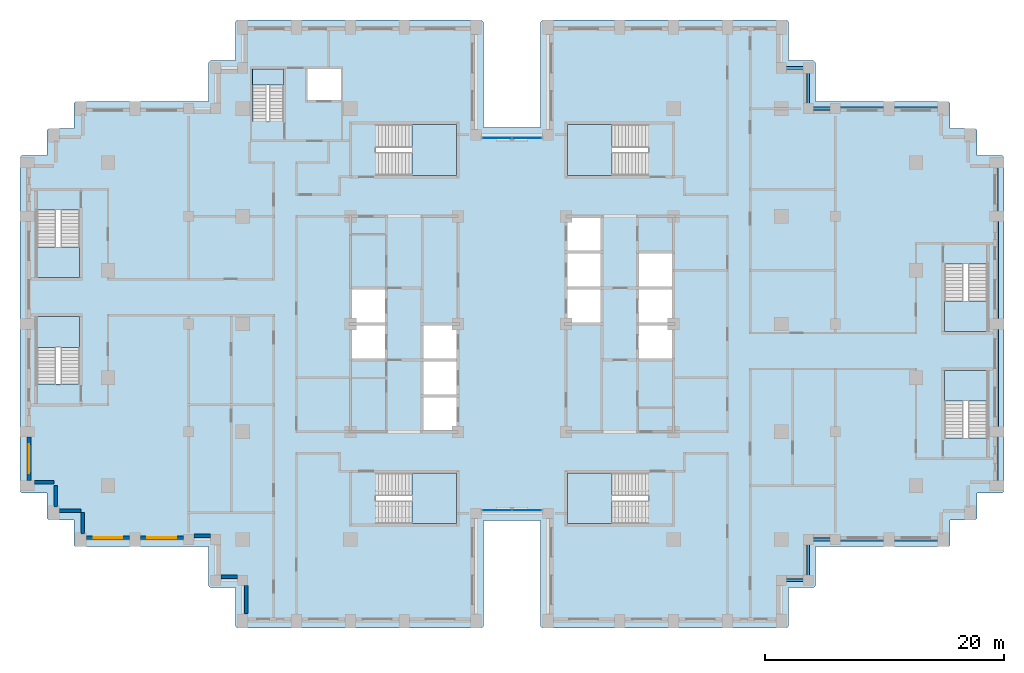
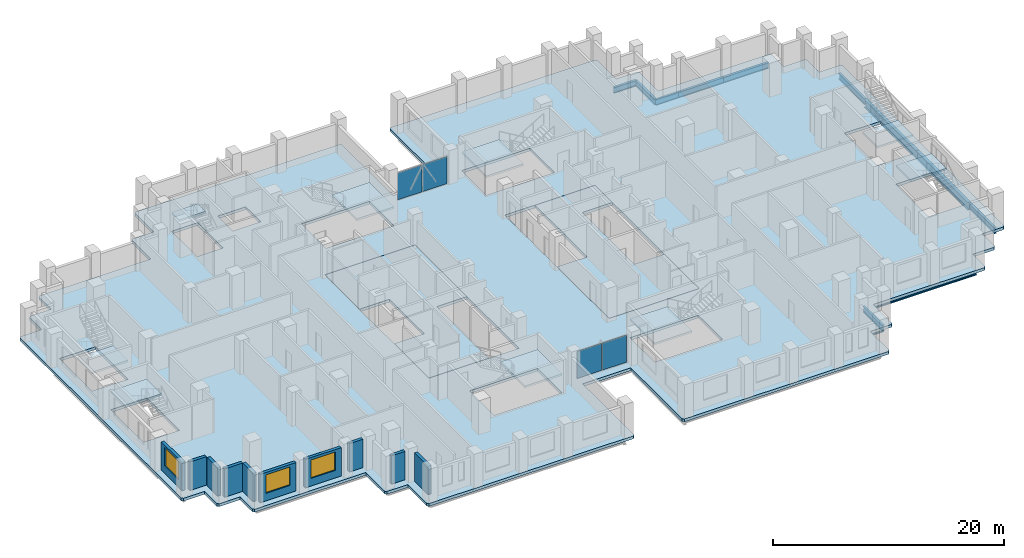
# One storey, part 5 of 16: 14 beams, 12 slabs, 10 walls, 4 plates, 3 windows, 3 openings, 11 elements without a shape of their own.
"""IFC4 building model written with IfcOpenShell, lengths in metres."""

import ifcopenshell
import ifcopenshell.guid

model = None  # the IFC model being written
_history = None  # IfcOwnerHistory: only IFC2X3 demands one
_inside = {}  # id of a spatial element -> (the spatial element, [elements in it])
_under = {}  # id of a project, library or spatial element -> (it, [spatial elements below it])
_declared = {}  # id of a project -> (the project, [libraries it declares])
_typed = {}  # id of a type object -> (the type object, [elements of that type])
_made_of = {}  # id of a material, layer set ... -> (it, [elements and type objects made of it])


def new_model(schema):
    """Start an empty IFC model of exactly this schema.

    Asked for "IFC4X3", IfcOpenShell would pick the latest addendum, in which some entities
    have other attributes; the version numbers below select the first issue.
    IFC2X3 requires an IfcOwnerHistory on every rooted entity: one is made here for all.
    """
    global model, _history
    if schema == "IFC4X3":
        model = ifcopenshell.file(schema_version=(4, 3, 0, 0))
    else:
        model = ifcopenshell.file(schema=schema)
    _inside.clear()
    _under.clear()
    _declared.clear()
    _typed.clear()
    _made_of.clear()
    _history = None
    if model.schema == "IFC2X3":
        org = make("IfcOrganization", Name="unknown")
        user = make(
            "IfcPersonAndOrganization",
            ThePerson=make("IfcPerson", FamilyName="unknown"),
            TheOrganization=org,
        )
        app = make(
            "IfcApplication",
            ApplicationDeveloper=org,
            Version="unknown",
            ApplicationFullName="unknown",
            ApplicationIdentifier="unknown",
        )
        _history = make(
            "IfcOwnerHistory",
            OwningUser=user,
            OwningApplication=app,
            ChangeAction="ADDED",
            CreationDate=0,
        )
    return model


def make(cls, **values):
    """One entity of the class cls with the attributes given. An attribute that is None is left unset."""
    return model.create_entity(
        cls, **{name: value for name, value in values.items() if value is not None}
    )


def rooted(cls, **values):
    """An entity with a GlobalId (a new one), such as an element, a storey or a relation."""
    return make(cls, GlobalId=ifcopenshell.guid.new(), OwnerHistory=_history, **values)


def si_unit(unit_type, name, prefix=None):
    """IfcSIUnit, for example si_unit("LENGTHUNIT", "METRE", prefix="MILLI")."""
    return make("IfcSIUnit", UnitType=unit_type, Prefix=prefix, Name=name)


def assignment(units):
    """IfcUnitAssignment: the units of a project."""
    return None if units is None else make("IfcUnitAssignment", Units=units)


def point(xyz):
    """IfcCartesianPoint."""
    return None if xyz is None else make("IfcCartesianPoint", Coordinates=xyz)


def direction(xyz):
    """IfcDirection."""
    return None if xyz is None else make("IfcDirection", DirectionRatios=xyz)


def frame(location, z_axis=None, x_axis=None):
    """IfcAxis2Placement3D, a coordinate frame: its origin and axes. An axis left out is left unset."""
    return make(
        "IfcAxis2Placement3D",
        Location=point(location),
        Axis=direction(z_axis),
        RefDirection=direction(x_axis),
    )


def frame_2d(location, x_axis=None):
    """IfcAxis2Placement2D, a coordinate frame in the plane: its origin and x axis."""
    return make(
        "IfcAxis2Placement2D", Location=point(location), RefDirection=direction(x_axis)
    )


def origin():
    """The frame at (0, 0, 0) with its axes left unset."""
    return frame((0.0, 0.0, 0.0))


def origin_2d():
    """The frame at (0, 0) in the plane with its x axis left unset."""
    return frame_2d((0.0, 0.0))


def place(relative_to, where):
    """IfcLocalPlacement: puts the frame where relative to a parent placement (None: the world)."""
    return make(
        "IfcLocalPlacement", PlacementRelTo=relative_to, RelativePlacement=where
    )


def context(
    kind, dimensions, precision=None, world=None, true_north=None, identifier=None
):
    """IfcGeometricRepresentationContext, for example the 3D "Model" context."""
    return make(
        "IfcGeometricRepresentationContext",
        ContextIdentifier=identifier,
        ContextType=kind,
        CoordinateSpaceDimension=dimensions,
        Precision=precision,
        WorldCoordinateSystem=world,
        TrueNorth=true_north,
    )


def subcontext(parent, identifier, kind, view, scale=None):
    """IfcGeometricRepresentationSubContext, for example "Body" below "Model"."""
    return make(
        "IfcGeometricRepresentationSubContext",
        ContextIdentifier=identifier,
        ContextType=kind,
        ParentContext=parent,
        TargetScale=scale,
        TargetView=view,
    )


def project(units=None, contexts=None):
    """IfcProject with its units and contexts."""
    return rooted(
        "IfcProject",
        Name="project",
        RepresentationContexts=contexts,
        UnitsInContext=assignment(units),
    )


def spatial(cls, under=None, at=None, **own):
    """A site, building, storey or space (cls), placed at a placement, below another one or the project."""
    s = rooted(cls, ObjectPlacement=at, **own)
    if under is not None:
        _under.setdefault(under.id(), (under, []))[1].append(s)
    return s


def polyline(points):
    """IfcPolyline through the points."""
    return make("IfcPolyline", Points=[point(p) for p in points])


def profile(cls, at=None, kind="AREA", **sizes):
    """A parametric profile (cls). Its sizes go by their IFC names, for example OverallWidth=200.0."""
    return make(cls, ProfileType=kind, Position=at, **sizes)


def rectangle(**sizes):
    """IfcRectangleProfileDef."""
    return profile("IfcRectangleProfileDef", **sizes)


def i_section(**sizes):
    """IfcIShapeProfileDef."""
    return profile("IfcIShapeProfileDef", **sizes)


def outline(outer, holes=None, kind="AREA"):
    """IfcArbitraryClosedProfileDef: a profile drawn as a closed curve; with holes, ...WithVoids."""
    if holes is None:
        return make("IfcArbitraryClosedProfileDef", ProfileType=kind, OuterCurve=outer)
    return make(
        "IfcArbitraryProfileDefWithVoids",
        ProfileType=kind,
        OuterCurve=outer,
        InnerCurves=holes,
    )


def extrude(swept, where, along, depth):
    """IfcExtrudedAreaSolid: the profile swept, set in the frame where, extruded along a direction by depth."""
    return make(
        "IfcExtrudedAreaSolid",
        SweptArea=swept,
        Position=where,
        ExtrudedDirection=direction(along),
        Depth=depth,
    )


def shape(context_of_items, identifier, shape_type, items):
    """IfcShapeRepresentation: the items that make up one representation, for example the "Body"."""
    return make(
        "IfcShapeRepresentation",
        ContextOfItems=context_of_items,
        RepresentationIdentifier=identifier,
        RepresentationType=shape_type,
        Items=items,
    )


def material(Name=None, Category=None):
    """IfcMaterial."""
    return make("IfcMaterial", Name=Name, Category=Category)


def layer(
    of_material, thickness, ventilated=None, Name=None, Category=None, Priority=None
):
    """IfcMaterialLayer: one layer of a wall or slab, of a material (None: an air gap)."""
    return make(
        "IfcMaterialLayer",
        Material=of_material,
        LayerThickness=thickness,
        IsVentilated=ventilated,
        Name=Name,
        Category=Category,
        Priority=Priority,
    )


def layer_set(layers, Name=None):
    """IfcMaterialLayerSet."""
    return make("IfcMaterialLayerSet", MaterialLayers=layers, LayerSetName=Name)


def material_profile(
    of_material, cross_section, Name=None, Category=None, Priority=None
):
    """IfcMaterialProfile: a cross section and its material."""
    return make(
        "IfcMaterialProfile",
        Name=Name,
        Material=of_material,
        Profile=cross_section,
        Priority=Priority,
        Category=Category,
    )


def profile_set(profiles, Name=None, composite=None):
    """IfcMaterialProfileSet."""
    return make(
        "IfcMaterialProfileSet",
        Name=Name,
        MaterialProfiles=profiles,
        CompositeProfile=composite,
    )


def made_of(thing, what):
    """Note that an element or type object is made of a material, layer set ...; save() writes the relation."""
    if what is not None:
        _made_of.setdefault(what.id(), (what, []))[1].append(thing)
    return thing


def type_object(cls, material=None, **own):
    """A type object (cls), such as IfcWallType, which elements share."""
    return made_of(rooted(cls, **own), material)


def element(
    cls,
    number,
    at=None,
    inside=None,
    cuts=None,
    type_object=None,
    material=None,
    context=None,
    identifier="Body",
    shape_type=None,
    held_by="IfcProductDefinitionShape",
    body=None,
    shapes=None,
    **own,
):
    """One element of the class cls, such as IfcWall. Its Tag is "e" and its number.

    at: its placement. inside: the storey or other place that contains it. cuts: it is an
    opening in that element (IfcRelVoidsElement). A single representation is given by context,
    identifier, shape_type and body (its items); several are given by shapes. held_by: the class
    of the entity that holds the representations. save() writes the other relations.
    """
    e = rooted(cls, Tag="e%d" % number, ObjectPlacement=at, **own)
    if body is not None:
        shapes = [shape(context, identifier, shape_type, body)]
    if shapes is not None:
        e.Representation = make(held_by, Representations=shapes)
    if inside is not None:
        _inside.setdefault(inside.id(), (inside, []))[1].append(e)
    if cuts is not None:
        rooted(
            "IfcRelVoidsElement", RelatingBuildingElement=cuts, RelatedOpeningElement=e
        )
    if type_object is not None:
        _typed.setdefault(type_object.id(), (type_object, []))[1].append(e)
    return made_of(e, material)


def fill(opening, filler):
    """IfcRelFillsElement: the door or window that sits in an opening."""
    return rooted(
        "IfcRelFillsElement",
        RelatingOpeningElement=opening,
        RelatedBuildingElement=filler,
    )


def aggregate(whole, parts):
    """IfcRelAggregates: a whole, such as a stair, and the parts it consists of."""
    return rooted("IfcRelAggregates", RelatingObject=whole, RelatedObjects=parts)


def save(model, path):
    """Write the relations noted so far, then the file.

    IfcRelAggregates (storeys below a building ...), IfcRelContainedInSpatialStructure (elements
    in a storey), IfcRelDefinesByType, IfcRelAssociatesMaterial and IfcRelDeclares: one each for
    every whole, place, type object, material and project.
    """
    for whole, parts in _under.values():
        aggregate(whole, parts)
    for where, things in _inside.values():
        rooted(
            "IfcRelContainedInSpatialStructure",
            RelatedElements=things,
            RelatingStructure=where,
        )
    for kind, things in _typed.values():
        rooted("IfcRelDefinesByType", RelatedObjects=things, RelatingType=kind)
    for what, things in _made_of.values():
        rooted("IfcRelAssociatesMaterial", RelatedObjects=things, RelatingMaterial=what)
    for by, libraries in _declared.values():
        rooted("IfcRelDeclares", RelatingContext=by, RelatedDefinitions=libraries)
    model.write(path)


model = new_model("IFC4")

# Units and contexts
model_context = context("Model", 3, precision=1e-05, world=origin(), true_north=direction((0.0, 1.0)))
body_context = subcontext(model_context, "Body", "Model", "MODEL_VIEW")
ifc_project = project(units=[si_unit("LENGTHUNIT", "METRE"), si_unit("AREAUNIT", "SQUARE_METRE"), si_unit("VOLUMEUNIT", "CUBIC_METRE"), si_unit("PLANEANGLEUNIT", "RADIAN"), si_unit("MASSUNIT", "GRAM", prefix="KILO")], contexts=[model_context])

# Site, building, storey
site_placement = place(None, origin())
site = spatial("IfcSite", under=ifc_project, at=site_placement, CompositionType="ELEMENT")
building_placement = place(site_placement, origin())
building = spatial("IfcBuilding", under=site, at=building_placement, Name="Corbelhall Arena Tower", CompositionType="ELEMENT")
storey_placement = place(building_placement, frame((0.0, 0.0, 116.0)))
storey = spatial("IfcBuildingStorey", under=building, at=storey_placement, Name="L21", CompositionType="ELEMENT", Elevation=116.0)

# Beams
ifc_material_1 = material(Name="Steel ASTM A992 Gr50", Category="steel")
ifc_material_profile_1 = material_profile(ifc_material_1, i_section(OverallWidth=0.23046875, OverallDepth=0.6171875, WebThickness=0.01318359375, FlangeThickness=0.022216796875, at=origin_2d()))
ifc_profile_set_1 = profile_set([ifc_material_profile_1], Name="Steel ASTM A992 Gr50")
beam_type_1 = type_object("IfcBeamType", Name="ST-SPANDREL-W24x94", PredefinedType="SPANDREL", material=ifc_profile_set_1)
for number, where, z_axis, x_axis, name in (
    (1, (40.5, 13.5, -0.608642578125), (0.0, -1.0, 0.0), (1.0, 0.0, 0.0), "Beam SP 10"),
    (2, (40.5, -9.0, -0.608642578125), (0.0, -1.0, 0.0), (1.0, 0.0, 0.0), "Beam SP 11"),
    (3, (31.5, 18.0, -0.608642578125), (1.0, 0.0, 0.0), (0.0, 1.0, 0.0), "Beam SP 12"),
    (4, (31.5, -18.0, -0.608642578125), (-1.0, 0.0, 0.0), (0.0, -1.0, 0.0), "Beam SP 13"),
    (5, (36.0, -18.0, -0.608642578125), (-1.0, 0.0, 0.0), (0.0, -1.0, 0.0), "Beam SP 14"),
    (6, (27.0, 18.0, -0.608642578125), (1.0, 0.0, 0.0), (0.0, 1.0, 0.0), "Beam SP 15"),
):
    element("IfcBeam", number, at=place(storey_placement, frame(where, z_axis=z_axis, x_axis=x_axis)), inside=storey, type_object=beam_type_1, Name=name, PredefinedType="SPANDREL", context=body_context, shape_type="SweptSolid", body=[
        extrude(i_section(OverallWidth=0.23046875, OverallDepth=0.6171875, WebThickness=0.01318359375, FlangeThickness=0.022216796875, at=origin_2d()), origin(), (0.0, 0.0, 1.0), 4.5),
    ])
for number, where, z_axis, x_axis, name in (
    (7, (27.0, -18.0, -0.608642578125), (-1.0, 0.0, 0.0), (0.0, -1.0, 0.0), "Beam SP 16"),
    (8, (22.5, 21.39990234375, -0.608642578125), (1.0, 0.0, 0.0), (0.0, 1.0, 0.0), "Beam SP 43"),
):
    element("IfcBeam", number, at=place(storey_placement, frame(where, z_axis=z_axis, x_axis=x_axis)), inside=storey, type_object=beam_type_1, Name=name, PredefinedType="SPANDREL", context=body_context, shape_type="SweptSolid", body=[
        extrude(i_section(OverallWidth=0.23046875, OverallDepth=0.6171875, WebThickness=0.01318359375, FlangeThickness=0.022216796875, at=origin_2d()), origin(), (0.0, 0.0, 1.0), 2.25),
    ])
beam_1_placement = place(storey_placement, frame((24.75, 21.39990234375, -0.608642578125), z_axis=(0.0, -1.0, 0.0), x_axis=(1.0, 0.0, 0.0)))
element("IfcBeam", 9, at=beam_1_placement, inside=storey, type_object=beam_type_1, Name="Beam SP 44", PredefinedType="SPANDREL", context=body_context, shape_type="SweptSolid", body=[
    extrude(i_section(OverallWidth=0.23046875, OverallDepth=0.6171875, WebThickness=0.01318359375, FlangeThickness=0.022216796875, at=origin_2d()), origin(), (0.0, 0.0, 1.0), 3.39990234375),
])
for number, where, z_axis, x_axis, name in (
    (10, (24.75, 18.0, -0.608642578125), (1.0, 0.0, 0.0), (0.0, 1.0, 0.0), "Beam SP 45"),
    (11, (24.75, -21.39990234375, -0.608642578125), (-1.0, 0.0, 0.0), (0.0, -1.0, 0.0), "Beam SP 50"),
):
    element("IfcBeam", number, at=place(storey_placement, frame(where, z_axis=z_axis, x_axis=x_axis)), inside=storey, type_object=beam_type_1, Name=name, PredefinedType="SPANDREL", context=body_context, shape_type="SweptSolid", body=[
        extrude(i_section(OverallWidth=0.23046875, OverallDepth=0.6171875, WebThickness=0.01318359375, FlangeThickness=0.022216796875, at=origin_2d()), origin(), (0.0, 0.0, 1.0), 2.25),
    ])
beam_2_placement = place(storey_placement, frame((24.75, -18.0, -0.608642578125), z_axis=(0.0, -1.0, 0.0), x_axis=(1.0, 0.0, 0.0)))
element("IfcBeam", 12, at=beam_2_placement, inside=storey, type_object=beam_type_1, Name="Beam SP 51", PredefinedType="SPANDREL", context=body_context, shape_type="SweptSolid", body=[
    extrude(i_section(OverallWidth=0.23046875, OverallDepth=0.6171875, WebThickness=0.01318359375, FlangeThickness=0.022216796875, at=origin_2d()), origin(), (0.0, 0.0, 1.0), 3.39990234375),
])
ifc_material_profile_2 = material_profile(ifc_material_1, i_section(OverallWidth=0.2919921875, OverallDepth=0.845703125, WebThickness=0.015380859375, FlangeThickness=0.0244140625, at=origin_2d()))
ifc_profile_set_2 = profile_set([ifc_material_profile_2], Name="Steel ASTM A992 Gr50")
beam_type_2 = type_object("IfcBeamType", Name="ST-SPANDREL-W33x141", PredefinedType="SPANDREL", material=ifc_profile_set_2)
for number, where, z_axis, x_axis, name in (
    (13, (40.5, 0.0, -0.722900390625), (0.0, -1.0, 0.0), (1.0, 0.0, 0.0), "Beam SP 8"),
    (14, (40.5, 9.0, -0.722900390625), (0.0, -1.0, 0.0), (1.0, 0.0, 0.0), "Beam SP 9"),
):
    element("IfcBeam", number, at=place(storey_placement, frame(where, z_axis=z_axis, x_axis=x_axis)), inside=storey, type_object=beam_type_2, Name=name, PredefinedType="SPANDREL", context=body_context, shape_type="SweptSolid", body=[
        extrude(i_section(OverallWidth=0.2919921875, OverallDepth=0.845703125, WebThickness=0.015380859375, FlangeThickness=0.0244140625, at=origin_2d()), origin(), (0.0, 0.0, 1.0), 9.0),
    ])

# Curtain wall, plates
ifc_material_2 = material(Name="Aluminium black anodised", Category="aluminium")
ifc_layer_1 = layer(ifc_material_2, 0.199951171875)
ifc_layer_set_1 = layer_set([ifc_layer_1], Name="EV-CW1 Slot back wall")
curtain_wall_type = type_object("IfcCurtainWallType", Name="EV-CW1 Slot back wall", PredefinedType="NOTDEFINED", material=ifc_layer_set_1)
curtain_wall_1_placement = place(storey_placement, origin())
curtain_wall_1 = element("IfcCurtainWall", 15, at=curtain_wall_1_placement, inside=storey, type_object=curtain_wall_type, Name="Curtain wall CW1", PredefinedType="NOTDEFINED")
ifc_material_3 = material(Name="Glass dark tinted laminated", Category="glass")
ifc_layer_2 = layer(ifc_material_3, 0.028076171875)
ifc_layer_set_2 = layer_set([ifc_layer_2], Name="EV-CW1-PANEL")
plate_type = type_object("IfcPlateType", Name="EV-CW1-PANEL", PredefinedType="CURTAIN_PANEL", material=ifc_layer_set_2)
plate_1_placement = place(storey_placement, frame((-1.25634765625, -15.550048828125, 0.074951171875), z_axis=(0.0, 0.0, 1.0), x_axis=(1.0, 0.0, 0.0)))
plate_1 = element("IfcPlate", 16, at=plate_1_placement, type_object=plate_type, Name="CW1 panel 1.1", PredefinedType="CURTAIN_PANEL", context=body_context, shape_type="SweptSolid", body=[
    extrude(rectangle(XDim=2.4375, YDim=0.028076171875, at=origin_2d()), origin(), (0.0, 0.0, 1.0), 2.849609375),
])
plate_2_placement = place(storey_placement, frame((1.25634765625, -15.550048828125, 0.074951171875), z_axis=(0.0, 0.0, 1.0), x_axis=(1.0, 0.0, 0.0)))
plate_2 = element("IfcPlate", 17, at=plate_2_placement, type_object=plate_type, Name="CW1 panel 2.1", PredefinedType="CURTAIN_PANEL", context=body_context, shape_type="SweptSolid", body=[
    extrude(rectangle(XDim=2.4375, YDim=0.028076171875, at=origin_2d()), origin(), (0.0, 0.0, 1.0), 2.849609375),
])
aggregate(curtain_wall_1, [plate_1, plate_2])

curtain_wall_2_placement = place(storey_placement, origin())
curtain_wall_2 = element("IfcCurtainWall", 18, at=curtain_wall_2_placement, inside=storey, type_object=curtain_wall_type, Name="Curtain wall CW1", PredefinedType="NOTDEFINED")
plate_3_placement = place(storey_placement, frame((1.25634765625, 15.550048828125, 0.074951171875), z_axis=(0.0, 0.0, 1.0), x_axis=(-1.0, 0.0, 0.0)))
plate_3 = element("IfcPlate", 19, at=plate_3_placement, type_object=plate_type, Name="CW1 panel 1.1", PredefinedType="CURTAIN_PANEL", context=body_context, shape_type="SweptSolid", body=[
    extrude(rectangle(XDim=2.4375, YDim=0.028076171875, at=origin_2d()), origin(), (0.0, 0.0, 1.0), 2.849609375),
])
plate_4_placement = place(storey_placement, frame((-1.25634765625, 15.550048828125, 0.074951171875), z_axis=(0.0, 0.0, 1.0), x_axis=(-1.0, 0.0, 0.0)))
plate_4 = element("IfcPlate", 20, at=plate_4_placement, type_object=plate_type, Name="CW1 panel 2.1", PredefinedType="CURTAIN_PANEL", context=body_context, shape_type="SweptSolid", body=[
    extrude(rectangle(XDim=2.4375, YDim=0.028076171875, at=origin_2d()), origin(), (0.0, 0.0, 1.0), 2.849609375),
])
aggregate(curtain_wall_2, [plate_3, plate_4])

# Slabs
ifc_material_4 = material(Name="Concrete C40/50", Category="concrete")
ifc_layer_3 = layer(ifc_material_4, 0.300048828125)
ifc_layer_set_3 = layer_set([ifc_layer_3], Name="IN-SL-CORE")
slab_type_1 = type_object("IfcSlabType", Name="IN-SL-CORE", PredefinedType="FLOOR", material=ifc_layer_set_3)
slab_1_placement = place(storey_placement, frame((0.0, 0.0, -0.300048828125)))
element("IfcSlab", 21, at=slab_1_placement, inside=storey, type_object=slab_type_1, Name="Core floor W", PredefinedType="FLOOR", context=body_context, shape_type="SweptSolid", body=[
    extrude(outline(polyline([(-7.5, 0.0), (-4.5, 0.0), (-4.5, 9.0), (-13.5, 9.0), (-13.5, 3.0), (-10.5, 3.0), (-10.5, 0.0), (-10.5, -3.0), (-13.5, -3.0), (-13.5, -9.0), (-7.5, -9.0), (-7.5, -6.0), (-7.5, -3.0), (-7.5, 0.0)])), origin(), (0.0, 0.0, 1.0), 0.300048828125),
])
slab_2_placement = place(storey_placement, frame((0.0, 0.0, -0.300048828125)))
element("IfcSlab", 22, at=slab_2_placement, inside=storey, type_object=slab_type_1, Name="Core floor E", PredefinedType="FLOOR", context=body_context, shape_type="SweptSolid", body=[
    extrude(outline(polyline([(7.5, 0.0), (4.5, 0.0), (4.5, -9.0), (13.5, -9.0), (13.5, -3.0), (10.5, -3.0), (10.5, 0.0), (10.5, 3.0), (10.5, 6.0), (13.5, 6.0), (13.5, 9.0), (7.5, 9.0), (7.5, 6.0), (7.5, 3.0), (7.5, 0.0)])), origin(), (0.0, 0.0, 1.0), 0.300048828125),
])

# Stair, slab
stair_type = type_object("IfcStairType", Name="IN-ST-TOWER", PredefinedType="HALF_TURN_STAIR", material=ifc_material_4)
stair_1_placement = place(storey_placement, origin())
stair_1 = element("IfcStair", 23, at=stair_1_placement, inside=storey, type_object=stair_type, Name="L21 Exit stair ST1", PredefinedType="HALF_TURN_STAIR")
ifc_layer_4 = layer(ifc_material_4, 0.199951171875)
ifc_layer_set_4 = layer_set([ifc_layer_4], Name="IN-SL-LANDING")
slab_type_2 = type_object("IfcSlabType", Name="IN-SL-LANDING", PredefinedType="LANDING", material=ifc_layer_set_4)
slab_3_placement = place(storey_placement, frame((0.0, 0.0, 1.800048828125)))
slab_3 = element("IfcSlab", 24, at=slab_3_placement, type_object=slab_type_2, Name="ST1 landing 1", PredefinedType="LANDING", context=body_context, shape_type="SweptSolid", body=[
    extrude(outline(polyline([(-8.344970703125, 12.425048828125), (-4.625, 12.425048828125), (-4.625, 16.675048828125), (-8.344970703125, 16.675048828125), (-8.344970703125, 12.425048828125)])), origin(), (0.0, 0.0, 1.0), 0.199951171875),
])
aggregate(stair_1, [slab_3])

stair_2_placement = place(storey_placement, origin())
stair_2 = element("IfcStair", 25, at=stair_2_placement, inside=storey, type_object=stair_type, Name="L21 Exit stair ST2", PredefinedType="HALF_TURN_STAIR")
slab_4_placement = place(storey_placement, frame((0.0, 0.0, 1.800048828125)))
slab_4 = element("IfcSlab", 26, at=slab_4_placement, type_object=slab_type_2, Name="ST2 landing 1", PredefinedType="LANDING", context=body_context, shape_type="SweptSolid", body=[
    extrude(outline(polyline([(-8.344970703125, -16.675048828125), (-4.625, -16.675048828125), (-4.625, -12.425048828125), (-8.344970703125, -12.425048828125), (-8.344970703125, -16.675048828125)])), origin(), (0.0, 0.0, 1.0), 0.199951171875),
])
aggregate(stair_2, [slab_4])

stair_3_placement = place(storey_placement, origin())
stair_3 = element("IfcStair", 27, at=stair_3_placement, inside=storey, type_object=stair_type, Name="L21 Exit stair ST3", PredefinedType="HALF_TURN_STAIR")
slab_5_placement = place(storey_placement, frame((0.0, 0.0, 1.800048828125)))
slab_5 = element("IfcSlab", 28, at=slab_5_placement, type_object=slab_type_2, Name="ST3 landing 1", PredefinedType="LANDING", context=body_context, shape_type="SweptSolid", body=[
    extrude(outline(polyline([(8.344970703125, 16.675048828125), (4.625, 16.675048828125), (4.625, 12.425048828125), (8.344970703125, 12.425048828125), (8.344970703125, 16.675048828125)])), origin(), (0.0, 0.0, 1.0), 0.199951171875),
])
aggregate(stair_3, [slab_5])

stair_4_placement = place(storey_placement, origin())
stair_4 = element("IfcStair", 29, at=stair_4_placement, inside=storey, type_object=stair_type, Name="L21 Exit stair ST4", PredefinedType="HALF_TURN_STAIR")
slab_6_placement = place(storey_placement, frame((0.0, 0.0, 1.800048828125)))
slab_6 = element("IfcSlab", 30, at=slab_6_placement, type_object=slab_type_2, Name="ST4 landing 1", PredefinedType="LANDING", context=body_context, shape_type="SweptSolid", body=[
    extrude(outline(polyline([(8.344970703125, -12.425048828125), (4.625, -12.425048828125), (4.625, -16.675048828125), (8.344970703125, -16.675048828125), (8.344970703125, -12.425048828125)])), origin(), (0.0, 0.0, 1.0), 0.199951171875),
])
aggregate(stair_4, [slab_6])

stair_5_placement = place(storey_placement, origin())
stair_5 = element("IfcStair", 31, at=stair_5_placement, inside=storey, type_object=stair_type, Name="L21 Exit stair SC1", PredefinedType="HALF_TURN_STAIR")
slab_7_placement = place(storey_placement, frame((0.0, 0.0, 1.800048828125)))
slab_7 = element("IfcSlab", 32, at=slab_7_placement, type_object=slab_type_2, Name="SC1 landing 1", PredefinedType="LANDING", context=body_context, shape_type="SweptSolid", body=[
    extrude(outline(polyline([(-39.699951171875, 6.445068359375), (-39.699951171875, 3.875), (-36.125, 3.875), (-36.125, 6.445068359375), (-39.699951171875, 6.445068359375)])), origin(), (0.0, 0.0, 1.0), 0.199951171875),
])
aggregate(stair_5, [slab_7])

stair_6_placement = place(storey_placement, origin())
stair_6 = element("IfcStair", 33, at=stair_6_placement, inside=storey, type_object=stair_type, Name="L21 Exit stair SC2", PredefinedType="HALF_TURN_STAIR")
slab_8_placement = place(storey_placement, frame((0.0, 0.0, 1.800048828125)))
slab_8 = element("IfcSlab", 34, at=slab_8_placement, type_object=slab_type_2, Name="SC2 landing 1", PredefinedType="LANDING", context=body_context, shape_type="SweptSolid", body=[
    extrude(outline(polyline([(-36.125, -1.945068359375), (-36.125, 0.625), (-39.699951171875, 0.625), (-39.699951171875, -1.945068359375), (-36.125, -1.945068359375)])), origin(), (0.0, 0.0, 1.0), 0.199951171875),
])
aggregate(stair_6, [slab_8])

stair_7_placement = place(storey_placement, origin())
stair_7 = element("IfcStair", 35, at=stair_7_placement, inside=storey, type_object=stair_type, Name="L21 Exit stair SD1", PredefinedType="HALF_TURN_STAIR")
slab_9_placement = place(storey_placement, frame((0.0, 0.0, 1.800048828125)))
slab_9 = element("IfcSlab", 36, at=slab_9_placement, type_object=slab_type_2, Name="SD1 landing 1", PredefinedType="LANDING", context=body_context, shape_type="SweptSolid", body=[
    extrude(outline(polyline([(39.699951171875, -6.445068359375), (39.699951171875, -3.875), (36.125, -3.875), (36.125, -6.445068359375), (39.699951171875, -6.445068359375)])), origin(), (0.0, 0.0, 1.0), 0.199951171875),
])
aggregate(stair_7, [slab_9])

stair_8_placement = place(storey_placement, origin())
stair_8 = element("IfcStair", 37, at=stair_8_placement, inside=storey, type_object=stair_type, Name="L21 Exit stair SD2", PredefinedType="HALF_TURN_STAIR")
slab_10_placement = place(storey_placement, frame((0.0, 0.0, 1.800048828125)))
slab_10 = element("IfcSlab", 38, at=slab_10_placement, type_object=slab_type_2, Name="SD2 landing 1", PredefinedType="LANDING", context=body_context, shape_type="SweptSolid", body=[
    extrude(outline(polyline([(36.125, 1.945068359375), (36.125, -0.625), (39.699951171875, -0.625), (39.699951171875, 1.945068359375), (36.125, 1.945068359375)])), origin(), (0.0, 0.0, 1.0), 0.199951171875),
])
aggregate(stair_8, [slab_10])

stair_9_placement = place(storey_placement, origin())
stair_9 = element("IfcStair", 39, at=stair_9_placement, inside=storey, type_object=stair_type, Name="L21 Exit stair ST5", PredefinedType="HALF_TURN_STAIR")
slab_11_placement = place(storey_placement, frame((0.0, 0.0, 1.800048828125)))
slab_11 = element("IfcSlab", 40, at=slab_11_placement, type_object=slab_type_2, Name="ST5 landing 1", PredefinedType="LANDING", context=body_context, shape_type="SweptSolid", body=[
    extrude(outline(polyline([(-19.094970703125, 19.97998046875), (-19.094970703125, 21.300048828125), (-21.695068359375, 21.300048828125), (-21.695068359375, 19.97998046875), (-19.094970703125, 19.97998046875)])), origin(), (0.0, 0.0, 1.0), 0.199951171875),
])
aggregate(stair_9, [slab_11])

# Slab
ifc_layer_5 = layer(ifc_material_4, 0.300048828125)
ifc_layer_set_5 = layer_set([ifc_layer_5], Name="ST-SLAB-FLOOR-300")
slab_type_3 = type_object("IfcSlabType", Name="ST-SLAB-FLOOR-300", PredefinedType="FLOOR", material=ifc_layer_set_5)
slab_12_placement = place(storey_placement, frame((0.0, 0.0, -0.300048828125)))
element("IfcSlab", 41, at=slab_12_placement, inside=storey, type_object=slab_type_3, Name="Floor slab L21 1", PredefinedType="FLOOR", context=body_context, shape_type="SweptSolid", body=[
    extrude(outline(polyline([(25.35009765625, 18.60009765625), (25.35009765625, 21.85009765625), (25.199951171875, 22.0), (23.10009765625, 22.0), (23.10009765625, 25.25), (22.949951171875, 25.39990234375), (2.550048828125, 25.39990234375), (2.39990234375, 25.25), (2.39990234375, 16.39990234375), (-2.39990234375, 16.39990234375), (-2.39990234375, 25.25), (-2.550048828125, 25.39990234375), (-22.949951171875, 25.39990234375), (-23.10009765625, 25.25), (-23.10009765625, 22.0), (-25.199951171875, 22.0), (-25.35009765625, 21.85009765625), (-25.35009765625, 18.60009765625), (-36.449951171875, 18.60009765625), (-36.60009765625, 18.449951171875), (-36.60009765625, 16.35009765625), (-38.699951171875, 16.35009765625), (-38.85009765625, 16.199951171875), (-38.85009765625, 14.10009765625), (-40.949951171875, 14.10009765625), (-41.10009765625, 13.949951171875), (-41.10009765625, -13.949951171875), (-40.949951171875, -14.10009765625), (-38.85009765625, -14.10009765625), (-38.85009765625, -16.199951171875), (-38.699951171875, -16.35009765625), (-36.60009765625, -16.35009765625), (-36.60009765625, -18.449951171875), (-36.449951171875, -18.60009765625), (-25.35009765625, -18.60009765625), (-25.35009765625, -21.85009765625), (-25.199951171875, -22.0), (-23.10009765625, -22.0), (-23.10009765625, -25.25), (-22.949951171875, -25.39990234375), (-2.550048828125, -25.39990234375), (-2.39990234375, -25.25), (-2.39990234375, -16.39990234375), (2.39990234375, -16.39990234375), (2.39990234375, -25.25), (2.550048828125, -25.39990234375), (22.949951171875, -25.39990234375), (23.10009765625, -25.25), (23.10009765625, -22.0), (25.199951171875, -22.0), (25.35009765625, -21.85009765625), (25.35009765625, -18.60009765625), (36.449951171875, -18.60009765625), (36.60009765625, -18.449951171875), (36.60009765625, -16.35009765625), (38.699951171875, -16.35009765625), (38.85009765625, -16.199951171875), (38.85009765625, -14.10009765625), (40.949951171875, -14.10009765625), (41.10009765625, -13.949951171875), (41.10009765625, 13.949951171875), (40.949951171875, 14.10009765625), (38.85009765625, 14.10009765625), (38.85009765625, 16.199951171875), (38.699951171875, 16.35009765625), (36.60009765625, 16.35009765625), (36.60009765625, 18.449951171875), (36.449951171875, 18.60009765625), (25.35009765625, 18.60009765625)]), holes=[polyline([(-13.5, 9.0), (-13.5, -9.0), (-4.5, -9.0), (-4.5, 9.0), (-13.5, 9.0)]), polyline([(4.5, 9.0), (4.5, -9.0), (13.5, -9.0), (13.5, 9.0), (4.5, 9.0)]), polyline([(-4.625, 16.675048828125), (-11.422119140625, 16.675048828125), (-11.422119140625, 12.425048828125), (-4.625, 12.425048828125), (-4.625, 16.675048828125)]), polyline([(-4.625, -16.675048828125), (-4.625, -12.425048828125), (-11.422119140625, -12.425048828125), (-11.422119140625, -16.675048828125), (-4.625, -16.675048828125)]), polyline([(11.422119140625, 16.675048828125), (4.625, 16.675048828125), (4.625, 12.425048828125), (11.422119140625, 12.425048828125), (11.422119140625, 16.675048828125)]), polyline([(11.422119140625, -16.675048828125), (11.422119140625, -12.425048828125), (4.625, -12.425048828125), (4.625, -16.675048828125), (11.422119140625, -16.675048828125)]), polyline([(-36.125, 3.875), (-36.125, 9.52197265625), (-39.699951171875, 9.52197265625), (-39.699951171875, 3.875), (-36.125, 3.875)]), polyline([(-36.125, 0.625), (-39.699951171875, 0.625), (-39.699951171875, -5.02197265625), (-36.125, -5.02197265625), (-36.125, 0.625)]), polyline([(39.699951171875, -9.52197265625), (39.699951171875, -3.875), (36.125, -3.875), (36.125, -9.52197265625), (39.699951171875, -9.52197265625)]), polyline([(39.699951171875, 5.02197265625), (36.125, 5.02197265625), (36.125, -0.625), (39.699951171875, -0.625), (39.699951171875, 5.02197265625)]), polyline([(-21.695068359375, 21.300048828125), (-21.695068359375, 16.903076171875), (-19.094970703125, 16.903076171875), (-19.094970703125, 21.300048828125), (-21.695068359375, 21.300048828125)]), polyline([(-14.300048828125, 21.300048828125), (-17.10009765625, 21.300048828125), (-17.10009765625, 18.699951171875), (-14.300048828125, 18.699951171875), (-14.300048828125, 21.300048828125)])]), origin(), (0.0, 0.0, 1.0), 0.300048828125),
])

# Walls
ifc_material_5 = material(Name="Precast concrete C40/50 with granite facing", Category="masonry")
ifc_layer_6 = layer(ifc_material_5, 0.300048828125)
ifc_layer_set_6 = layer_set([ifc_layer_6], Name="EV-IW1 Infill panel 300")
wall_type = type_object("IfcWallType", Name="EV-IW1 Infill panel 300", PredefinedType="SOLIDWALL", material=ifc_layer_set_6)
wall_1_placement = place(storey_placement, frame((-39.89990234375, -13.199951171875, 0.0), z_axis=(0.0, 0.0, 1.0), x_axis=(1.0, 0.0, 0.0)))
element("IfcWall", 42, at=wall_1_placement, inside=storey, type_object=wall_type, Name="Infill panel IW1", PredefinedType="SOLIDWALL", context=body_context, shape_type="SweptSolid", body=[
    extrude(rectangle(XDim=1.64990234375, YDim=0.300048828125, at=frame_2d((0.824951171875, 0.0))), origin(), (0.0, 0.0, 1.0), 2.99951171875),
])
for number, where, z_axis, x_axis, name in (
    (43, (-38.10009765625, -15.300048828125, 0.0), (0.0, 0.0, 1.0), (0.0, 1.0, 0.0), "Infill panel IW1"),
    (44, (-37.800048828125, -15.60009765625, 0.0), (0.0, 0.0, 1.0), (1.0, 0.0, 0.0), "Infill panel IW1"),
    (45, (-35.85009765625, -17.550048828125, 0.0), (0.0, 0.0, 1.0), (0.0, 1.0, 0.0), "Infill panel IW1"),
):
    element("IfcWall", number, at=place(storey_placement, frame(where, z_axis=z_axis, x_axis=x_axis)), inside=storey, type_object=wall_type, Name=name, PredefinedType="SOLIDWALL", context=body_context, shape_type="SweptSolid", body=[
        extrude(rectangle(XDim=1.800048828125, YDim=0.300048828125, at=frame_2d((0.89990234375, 0.0))), origin(), (0.0, 0.0, 1.0), 2.99951171875),
    ])

# Wall, opening, window
wall_2_placement = place(storey_placement, frame((-40.35009765625, -9.449951171875, 0.0), z_axis=(0.0, 0.0, 1.0), x_axis=(0.0, -1.0, 0.0)))
wall_2 = element("IfcWall", 46, at=wall_2_placement, inside=storey, type_object=wall_type, Name="Infill panel IW1", PredefinedType="SOLIDWALL", context=body_context, shape_type="SweptSolid", body=[
    extrude(rectangle(XDim=3.60009765625, YDim=0.300048828125, at=frame_2d((1.800048828125, 0.0))), origin(), (0.0, 0.0, 1.0), 2.99951171875),
])
opening_1_placement = place(wall_2_placement, frame((0.60009765625, 0.0, 0.800048828125)))
opening_1 = element("IfcOpeningElement", 47, at=opening_1_placement, cuts=wall_2, Name="Opening WN1", PredefinedType="OPENING", context=body_context, shape_type="SweptSolid", body=[
    extrude(rectangle(XDim=2.39990234375, YDim=1.949951171875, at=frame_2d((1.199951171875, 0.97509765625))), frame((0.0, 0.14990234375, 0.0), z_axis=(0.0, -1.0, 0.0), x_axis=(1.0, 0.0, 0.0)), (0.0, 0.0, 1.0), 0.300048828125),
])
window_type = type_object("IfcWindowType", Name="EV-WN1 Office window", PartitioningType="SINGLE_PANEL", PredefinedType="WINDOW", material=ifc_material_2)
window_1_placement = place(opening_1_placement, origin())
window_1 = element("IfcWindow", 48, at=window_1_placement, inside=storey, type_object=window_type, Name="Window WN1", OverallHeight=1.949951171875, OverallWidth=2.39990234375, PartitioningType="SINGLE_PANEL", PredefinedType="WINDOW", context=body_context, shape_type="SweptSolid", body=[
    extrude(rectangle(XDim=2.39990234375, YDim=1.949951171875, at=frame_2d((1.199951171875, 0.97509765625))), frame((0.0, 0.030029296875, 0.0), z_axis=(0.0, -1.0, 0.0), x_axis=(1.0, 0.0, 0.0)), (0.0, 0.0, 1.0), 0.06005859375),
])
fill(opening_1, window_1)

wall_3_placement = place(storey_placement, frame((-35.550048828125, -17.85009765625, 0.0), z_axis=(0.0, 0.0, 1.0), x_axis=(1.0, 0.0, 0.0)))
wall_3 = element("IfcWall", 49, at=wall_3_placement, inside=storey, type_object=wall_type, Name="Infill panel IW1", PredefinedType="SOLIDWALL", context=body_context, shape_type="SweptSolid", body=[
    extrude(rectangle(XDim=3.60009765625, YDim=0.300048828125, at=frame_2d((1.800048828125, 0.0))), origin(), (0.0, 0.0, 1.0), 2.99951171875),
])
opening_2_placement = place(wall_3_placement, frame((0.60009765625, 0.0, 0.800048828125)))
opening_2 = element("IfcOpeningElement", 50, at=opening_2_placement, cuts=wall_3, Name="Opening WN1", PredefinedType="OPENING", context=body_context, shape_type="SweptSolid", body=[
    extrude(rectangle(XDim=2.39990234375, YDim=1.949951171875, at=frame_2d((1.199951171875, 0.97509765625))), frame((0.0, 0.14990234375, 0.0), z_axis=(0.0, -1.0, 0.0), x_axis=(1.0, 0.0, 0.0)), (0.0, 0.0, 1.0), 0.300048828125),
])
window_2_placement = place(opening_2_placement, origin())
window_2 = element("IfcWindow", 51, at=window_2_placement, inside=storey, type_object=window_type, Name="Window WN1", OverallHeight=1.949951171875, OverallWidth=2.39990234375, PartitioningType="SINGLE_PANEL", PredefinedType="WINDOW", context=body_context, shape_type="SweptSolid", body=[
    extrude(rectangle(XDim=2.39990234375, YDim=1.949951171875, at=frame_2d((1.199951171875, 0.97509765625))), frame((0.0, 0.030029296875, 0.0), z_axis=(0.0, -1.0, 0.0), x_axis=(1.0, 0.0, 0.0)), (0.0, 0.0, 1.0), 0.06005859375),
])
fill(opening_2, window_2)

wall_4_placement = place(storey_placement, frame((-31.050048828125, -17.85009765625, 0.0), z_axis=(0.0, 0.0, 1.0), x_axis=(1.0, 0.0, 0.0)))
wall_4 = element("IfcWall", 52, at=wall_4_placement, inside=storey, type_object=wall_type, Name="Infill panel IW1", PredefinedType="SOLIDWALL", context=body_context, shape_type="SweptSolid", body=[
    extrude(rectangle(XDim=3.60009765625, YDim=0.300048828125, at=frame_2d((1.800048828125, 0.0))), origin(), (0.0, 0.0, 1.0), 2.99951171875),
])
opening_3_placement = place(wall_4_placement, frame((0.60009765625, 0.0, 0.800048828125)))
opening_3 = element("IfcOpeningElement", 53, at=opening_3_placement, cuts=wall_4, Name="Opening WN1", PredefinedType="OPENING", context=body_context, shape_type="SweptSolid", body=[
    extrude(rectangle(XDim=2.39990234375, YDim=1.949951171875, at=frame_2d((1.199951171875, 0.97509765625))), frame((0.0, 0.14990234375, 0.0), z_axis=(0.0, -1.0, 0.0), x_axis=(1.0, 0.0, 0.0)), (0.0, 0.0, 1.0), 0.300048828125),
])
window_3_placement = place(opening_3_placement, origin())
window_3 = element("IfcWindow", 54, at=window_3_placement, inside=storey, type_object=window_type, Name="Window WN1", OverallHeight=1.949951171875, OverallWidth=2.39990234375, PartitioningType="SINGLE_PANEL", PredefinedType="WINDOW", context=body_context, shape_type="SweptSolid", body=[
    extrude(rectangle(XDim=2.39990234375, YDim=1.949951171875, at=frame_2d((1.199951171875, 0.97509765625))), frame((0.0, 0.030029296875, 0.0), z_axis=(0.0, -1.0, 0.0), x_axis=(1.0, 0.0, 0.0)), (0.0, 0.0, 1.0), 0.06005859375),
])
fill(opening_3, window_3)

# Walls
for number, where, z_axis, x_axis, name in (
    (55, (-26.550048828125, -17.699951171875, 0.0), (0.0, 0.0, 1.0), (1.0, 0.0, 0.0), "Infill panel IW1"),
    (56, (-24.300048828125, -21.10009765625, 0.0), (0.0, 0.0, 1.0), (1.0, 0.0, 0.0), "Infill panel IW1"),
):
    element("IfcWall", number, at=place(storey_placement, frame(where, z_axis=z_axis, x_axis=x_axis)), inside=storey, type_object=wall_type, Name=name, PredefinedType="SOLIDWALL", context=body_context, shape_type="SweptSolid", body=[
        extrude(rectangle(XDim=1.35009765625, YDim=0.300048828125, at=frame_2d((0.675048828125, 0.0))), origin(), (0.0, 0.0, 1.0), 2.99951171875),
    ])
wall_5_placement = place(storey_placement, frame((-22.199951171875, -21.85009765625, 0.0), z_axis=(0.0, 0.0, 1.0), x_axis=(0.0, -1.0, 0.0)))
element("IfcWall", 57, at=wall_5_placement, inside=storey, type_object=wall_type, Name="Infill panel IW1", PredefinedType="SOLIDWALL", context=body_context, shape_type="SweptSolid", body=[
    extrude(rectangle(XDim=2.349853515625, YDim=0.300048828125, at=frame_2d((1.1748046875, 0.0))), origin(), (0.0, 0.0, 1.0), 2.99951171875),
])

save(model, "model.ifc")
